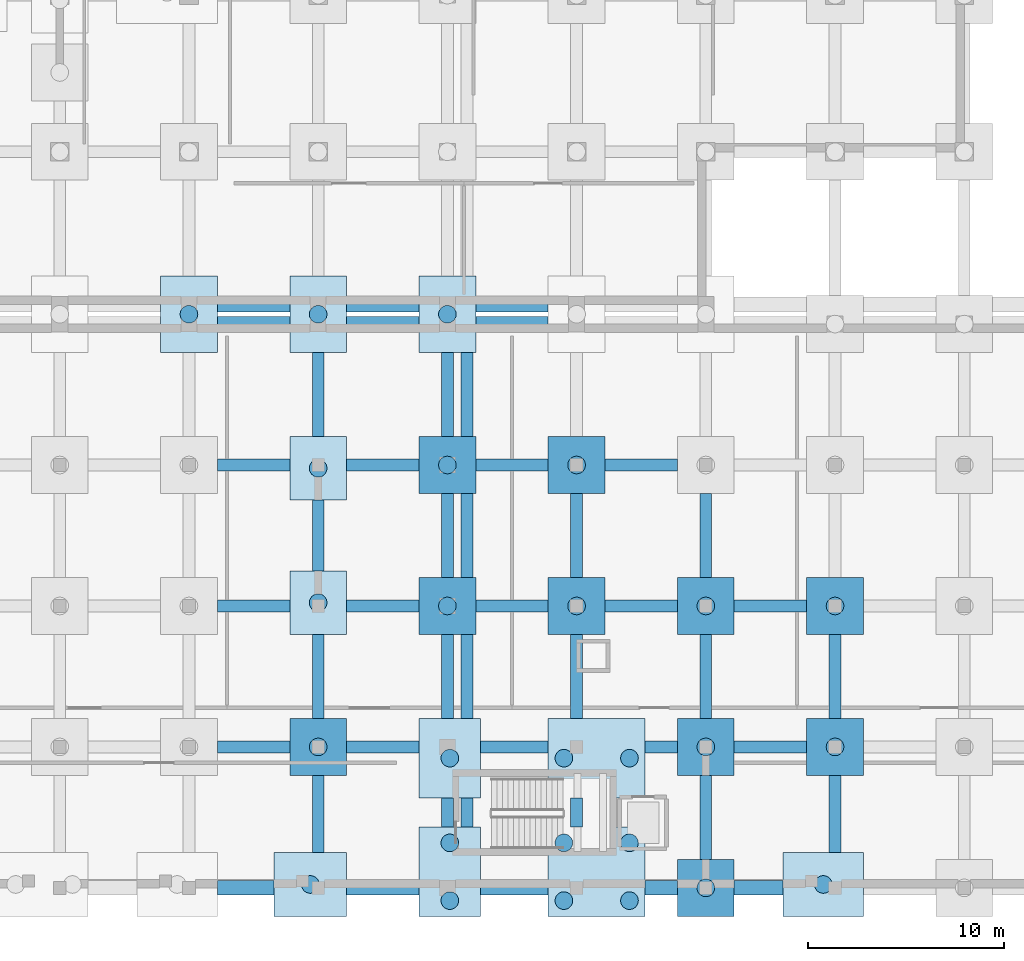
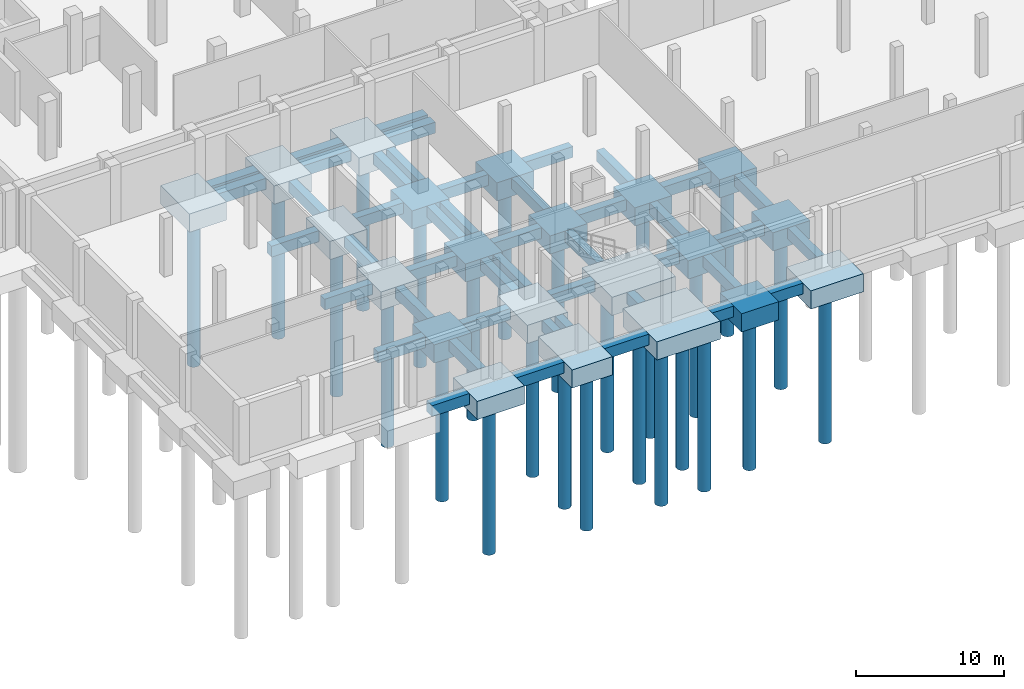
# One storey, part 4 of 29: 66 footings, 26 piles.
"""IFC4 building model written with IfcOpenShell, lengths in metres."""

from ifc_helpers import new_model, si_unit, direction, frame, origin, origin_2d, place, context, subcontext, project, spatial, polyline, rectangle, circle, outline, extrude, material, material_profile, profile_set, type_object, element, save


model = new_model("IFC4")

# Units and contexts
model_context = context("Model", 3, precision=1e-05, world=origin(), true_north=direction((0.0, 1.0)))
body_context = subcontext(model_context, "Body", "Model", "MODEL_VIEW")
ifc_project = project(units=[si_unit("LENGTHUNIT", "METRE"), si_unit("AREAUNIT", "SQUARE_METRE"), si_unit("VOLUMEUNIT", "CUBIC_METRE"), si_unit("PLANEANGLEUNIT", "RADIAN"), si_unit("MASSUNIT", "GRAM", prefix="KILO")], contexts=[model_context])

# Site, building, storey
site_placement = place(None, origin())
site = spatial("IfcSite", under=ifc_project, at=site_placement, CompositionType="ELEMENT")
building_placement = place(site_placement, origin())
building = spatial("IfcBuilding", under=site, at=building_placement, Name="Kelarvand Opera House", CompositionType="ELEMENT")
storey_placement = place(building_placement, frame((0.0, 0.0, -9.60009765625)))
storey = spatial("IfcBuildingStorey", under=building, at=storey_placement, Name="B2", CompositionType="ELEMENT", Elevation=-9.60009765625)

# Piles
ifc_material = material(Name="Concrete C40/50", Category="concrete")
ifc_material_profile = material_profile(ifc_material, circle(Radius=0.449951171875, at=origin_2d()), Name="BP 900", Category="concrete")
ifc_profile_set = profile_set([ifc_material_profile], Name="Concrete C40/50")
pile_type = type_object("IfcPileType", Name="Bored Pile 900 Concrete C40/50", PredefinedType="BORED", material=ifc_profile_set)
for number, where, z_axis, x_axis, name in (
    (1, (108.39990234375, 9.175048828125, -1.7998046875), (0.0, 0.0, -1.0), (1.0, 0.0, 0.0), "V6 Bored Pile 11"),
    (2, (115.52490234375, 8.35009765625, -1.7998046875), (0.0, 0.0, -1.0), (1.0, 0.0, 0.0), "V6 Bored Pile 12"),
    (3, (115.52490234375, 11.300048828125, -1.7998046875), (0.0, 0.0, -1.0), (1.0, 0.0, 0.0), "V6 Bored Pile 13"),
    (4, (121.35009765625, 8.35009765625, -1.7998046875), (0.0, 0.0, -1.0), (1.0, 0.0, 0.0), "V6 Bored Pile 14"),
    (5, (121.35009765625, 11.300048828125, -1.7998046875), (0.0, 0.0, -1.0), (1.0, 0.0, 0.0), "V6 Bored Pile 15"),
    (6, (124.699951171875, 8.35009765625, -1.7998046875), (0.0, 0.0, -1.0), (1.0, 0.0, 0.0), "V6 Bored Pile 16"),
    (7, (124.699951171875, 11.300048828125, -1.7998046875), (0.0, 0.0, -1.0), (1.0, 0.0, 0.0), "V6 Bored Pile 17"),
    (8, (128.60009765625, 9.0, -1.7998046875), (0.0, 0.0, -1.0), (1.0, 0.0, 0.0), "V6 Bored Pile 18"),
    (9, (134.60009765625, 9.175048828125, -1.7998046875), (0.0, 0.0, -1.0), (1.0, 0.0, 0.0), "V6 Bored Pile 19"),
    (10, (115.52490234375, 15.625, -1.7998046875), (0.0, 0.0, -1.0), (1.0, 0.0, 0.0), "V6 Bored Pile 30"),
    (11, (121.35009765625, 15.625, -1.7998046875), (0.0, 0.0, -1.0), (1.0, 0.0, 0.0), "V6 Bored Pile 31"),
    (12, (124.699951171875, 15.625, -1.7998046875), (0.0, 0.0, -1.0), (1.0, 0.0, 0.0), "V6 Bored Pile 32"),
    (13, (108.800048828125, 16.199951171875, -1.7998046875), (0.0, 0.0, -1.0), (1.0, 0.0, 0.0), "V6 Bored Pile 42"),
    (14, (128.60009765625, 16.199951171875, -1.7998046875), (0.0, 0.0, -1.0), (1.0, 0.0, 0.0), "V6 Bored Pile 43"),
    (15, (135.199951171875, 16.199951171875, -1.7998046875), (0.0, 0.0, -1.0), (1.0, 0.0, 0.0), "V6 Bored Pile 44"),
    (16, (108.800048828125, 23.56494140625, -1.7998046875), (0.0, 0.0, -1.0), (1.0, 0.0, 0.0), "V6 Bored Pile 60"),
    (17, (115.39990234375, 23.39990234375, -1.7998046875), (0.0, 0.0, -1.0), (1.0, 0.0, 0.0), "V6 Bored Pile 61"),
    (18, (122.0, 23.39990234375, -1.7998046875), (0.0, 0.0, -1.0), (1.0, 0.0, 0.0), "V6 Bored Pile 62"),
    (19, (128.60009765625, 23.39990234375, -1.7998046875), (0.0, 0.0, -1.0), (1.0, 0.0, 0.0), "V6 Bored Pile 63"),
    (20, (135.199951171875, 23.39990234375, -1.7998046875), (0.0, 0.0, -1.0), (1.0, 0.0, 0.0), "V6 Bored Pile 64"),
    (21, (108.800048828125, 30.43505859375, -1.7998046875), (0.0, 0.0, -1.0), (1.0, 0.0, 0.0), "V6 Bored Pile 72"),
    (22, (115.39990234375, 30.60009765625, -1.7998046875), (0.0, 0.0, -1.0), (1.0, 0.0, 0.0), "V6 Bored Pile 81"),
    (23, (122.0, 30.60009765625, -1.7998046875), (0.0, 0.0, -1.0), (1.0, 0.0, 0.0), "V6 Bored Pile 82"),
    (24, (102.199951171875, 38.300048828125, -1.7998046875), (0.0, 0.0, -1.0), (1.0, 0.0, 0.0), "V1 Bored Pile 100"),
    (25, (108.800048828125, 38.300048828125, -1.7998046875), (0.0, 0.0, -1.0), (1.0, 0.0, 0.0), "V1 Bored Pile 101"),
    (26, (115.39990234375, 38.300048828125, -1.7998046875), (0.0, 0.0, -1.0), (1.0, 0.0, 0.0), "V1 Bored Pile 102"),
):
    element("IfcPile", number, at=place(storey_placement, frame(where, z_axis=z_axis, x_axis=x_axis)), inside=storey, type_object=pile_type, Name=name, PredefinedType="BORED", context=body_context, shape_type="SweptSolid", body=[
        extrude(circle(Radius=0.449951171875, at=origin_2d()), origin(), (0.0, 0.0, 1.0), 12.60009765625),
    ])

# Footings
footing_type_1 = type_object("IfcFootingType", Name="Ground Tie Beam 600x900 Concrete C40/50", PredefinedType="FOOTING_BEAM", material=ifc_material)
footing_1_placement = place(storey_placement, frame((0.0, 0.0, -1.2998046875)))
element("IfcFooting", 27, at=footing_1_placement, inside=storey, type_object=footing_type_1, Name="Ground Beam 25", PredefinedType="FOOTING_BEAM", context=body_context, shape_type="SweptSolid", body=[
    extrude(outline(polyline([(103.64990234375, 15.89990234375), (107.35009765625, 15.89990234375), (107.35009765625, 16.5), (103.64990234375, 16.5), (103.64990234375, 15.89990234375)])), origin(), (0.0, 0.0, 1.0), 0.89990234375),
])
footing_2_placement = place(storey_placement, frame((0.0, 0.0, -1.2998046875)))
element("IfcFooting", 28, at=footing_2_placement, inside=storey, type_object=footing_type_1, Name="Ground Beam 26", PredefinedType="FOOTING_BEAM", context=body_context, shape_type="SweptSolid", body=[
    extrude(outline(polyline([(110.25, 15.89990234375), (113.949951171875, 15.89990234375), (113.949951171875, 16.5), (110.25, 16.5), (110.25, 15.89990234375)])), origin(), (0.0, 0.0, 1.0), 0.89990234375),
])
footing_3_placement = place(storey_placement, frame((0.0, 0.0, -1.2998046875)))
element("IfcFooting", 29, at=footing_3_placement, inside=storey, type_object=footing_type_1, Name="Ground Beam 27", PredefinedType="FOOTING_BEAM", context=body_context, shape_type="SweptSolid", body=[
    extrude(outline(polyline([(117.10009765625, 15.89990234375), (120.550048828125, 15.89990234375), (120.550048828125, 16.5), (117.10009765625, 16.5), (117.10009765625, 15.89990234375)])), origin(), (0.0, 0.0, 1.0), 0.89990234375),
])
footing_4_placement = place(storey_placement, frame((0.0, 0.0, -1.2998046875)))
element("IfcFooting", 30, at=footing_4_placement, inside=storey, type_object=footing_type_1, Name="Ground Beam 28", PredefinedType="FOOTING_BEAM", context=body_context, shape_type="SweptSolid", body=[
    extrude(outline(polyline([(125.5, 15.89990234375), (127.14990234375, 15.89990234375), (127.14990234375, 16.5), (125.5, 16.5), (125.5, 15.89990234375)])), origin(), (0.0, 0.0, 1.0), 0.89990234375),
])
footing_5_placement = place(storey_placement, frame((0.0, 0.0, -1.2998046875)))
element("IfcFooting", 31, at=footing_5_placement, inside=storey, type_object=footing_type_1, Name="Ground Beam 29", PredefinedType="FOOTING_BEAM", context=body_context, shape_type="SweptSolid", body=[
    extrude(outline(polyline([(130.050048828125, 15.89990234375), (133.75, 15.89990234375), (133.75, 16.5), (130.050048828125, 16.5), (130.050048828125, 15.89990234375)])), origin(), (0.0, 0.0, 1.0), 0.89990234375),
])
footing_6_placement = place(storey_placement, frame((0.0, 0.0, -1.2998046875)))
element("IfcFooting", 32, at=footing_6_placement, inside=storey, type_object=footing_type_1, Name="Ground Beam 42", PredefinedType="FOOTING_BEAM", context=body_context, shape_type="SweptSolid", body=[
    extrude(outline(polyline([(103.64990234375, 23.10009765625), (107.35009765625, 23.10009765625), (107.35009765625, 23.699951171875), (103.64990234375, 23.699951171875), (103.64990234375, 23.10009765625)])), origin(), (0.0, 0.0, 1.0), 0.89990234375),
])
footing_7_placement = place(storey_placement, frame((0.0, 0.0, -1.2998046875)))
element("IfcFooting", 33, at=footing_7_placement, inside=storey, type_object=footing_type_1, Name="Ground Beam 43", PredefinedType="FOOTING_BEAM", context=body_context, shape_type="SweptSolid", body=[
    extrude(outline(polyline([(110.25, 23.10009765625), (113.949951171875, 23.10009765625), (113.949951171875, 23.699951171875), (110.25, 23.699951171875), (110.25, 23.10009765625)])), origin(), (0.0, 0.0, 1.0), 0.89990234375),
])
footing_8_placement = place(storey_placement, frame((0.0, 0.0, -1.2998046875)))
element("IfcFooting", 34, at=footing_8_placement, inside=storey, type_object=footing_type_1, Name="Ground Beam 44", PredefinedType="FOOTING_BEAM", context=body_context, shape_type="SweptSolid", body=[
    extrude(outline(polyline([(116.85009765625, 23.10009765625), (120.550048828125, 23.10009765625), (120.550048828125, 23.699951171875), (116.85009765625, 23.699951171875), (116.85009765625, 23.10009765625)])), origin(), (0.0, 0.0, 1.0), 0.89990234375),
])
footing_9_placement = place(storey_placement, frame((0.0, 0.0, -1.2998046875)))
element("IfcFooting", 35, at=footing_9_placement, inside=storey, type_object=footing_type_1, Name="Ground Beam 45", PredefinedType="FOOTING_BEAM", context=body_context, shape_type="SweptSolid", body=[
    extrude(outline(polyline([(123.449951171875, 23.10009765625), (127.14990234375, 23.10009765625), (127.14990234375, 23.699951171875), (123.449951171875, 23.699951171875), (123.449951171875, 23.10009765625)])), origin(), (0.0, 0.0, 1.0), 0.89990234375),
])
footing_10_placement = place(storey_placement, frame((0.0, 0.0, -1.2998046875)))
element("IfcFooting", 36, at=footing_10_placement, inside=storey, type_object=footing_type_1, Name="Ground Beam 46", PredefinedType="FOOTING_BEAM", context=body_context, shape_type="SweptSolid", body=[
    extrude(outline(polyline([(130.050048828125, 23.10009765625), (133.75, 23.10009765625), (133.75, 23.699951171875), (130.050048828125, 23.699951171875), (130.050048828125, 23.10009765625)])), origin(), (0.0, 0.0, 1.0), 0.89990234375),
])
footing_11_placement = place(storey_placement, frame((0.0, 0.0, -1.2998046875)))
element("IfcFooting", 37, at=footing_11_placement, inside=storey, type_object=footing_type_1, Name="Ground Beam 59", PredefinedType="FOOTING_BEAM", context=body_context, shape_type="SweptSolid", body=[
    extrude(outline(polyline([(103.64990234375, 30.300048828125), (107.35009765625, 30.300048828125), (107.35009765625, 30.89990234375), (103.64990234375, 30.89990234375), (103.64990234375, 30.300048828125)])), origin(), (0.0, 0.0, 1.0), 0.89990234375),
])
footing_12_placement = place(storey_placement, frame((0.0, 0.0, -1.2998046875)))
element("IfcFooting", 38, at=footing_12_placement, inside=storey, type_object=footing_type_1, Name="Ground Beam 60", PredefinedType="FOOTING_BEAM", context=body_context, shape_type="SweptSolid", body=[
    extrude(outline(polyline([(110.25, 30.300048828125), (113.949951171875, 30.300048828125), (113.949951171875, 30.89990234375), (110.25, 30.89990234375), (110.25, 30.300048828125)])), origin(), (0.0, 0.0, 1.0), 0.89990234375),
])
footing_13_placement = place(storey_placement, frame((0.0, 0.0, -1.2998046875)))
element("IfcFooting", 39, at=footing_13_placement, inside=storey, type_object=footing_type_1, Name="Ground Beam 61", PredefinedType="FOOTING_BEAM", context=body_context, shape_type="SweptSolid", body=[
    extrude(outline(polyline([(116.85009765625, 30.300048828125), (120.550048828125, 30.300048828125), (120.550048828125, 30.89990234375), (116.85009765625, 30.89990234375), (116.85009765625, 30.300048828125)])), origin(), (0.0, 0.0, 1.0), 0.89990234375),
])
footing_14_placement = place(storey_placement, frame((0.0, 0.0, -1.2998046875)))
element("IfcFooting", 40, at=footing_14_placement, inside=storey, type_object=footing_type_1, Name="Ground Beam 62", PredefinedType="FOOTING_BEAM", context=body_context, shape_type="SweptSolid", body=[
    extrude(outline(polyline([(123.449951171875, 30.300048828125), (127.14990234375, 30.300048828125), (127.14990234375, 30.89990234375), (123.449951171875, 30.89990234375), (123.449951171875, 30.300048828125)])), origin(), (0.0, 0.0, 1.0), 0.89990234375),
])
footing_15_placement = place(storey_placement, frame((0.0, 0.0, -1.2998046875)))
element("IfcFooting", 41, at=footing_15_placement, inside=storey, type_object=footing_type_1, Name="Ground Beam 417", PredefinedType="FOOTING_BEAM", context=body_context, shape_type="SweptSolid", body=[
    extrude(outline(polyline([(108.5, 10.800048828125), (109.10009765625, 10.800048828125), (109.10009765625, 14.75), (108.5, 14.75), (108.5, 10.800048828125)])), origin(), (0.0, 0.0, 1.0), 0.89990234375),
])
footing_16_placement = place(storey_placement, frame((0.0, 0.0, -1.2998046875)))
element("IfcFooting", 42, at=footing_16_placement, inside=storey, type_object=footing_type_1, Name="Ground Beam 418", PredefinedType="FOOTING_BEAM", context=body_context, shape_type="SweptSolid", body=[
    extrude(outline(polyline([(108.5, 17.64990234375), (109.10009765625, 17.64990234375), (109.10009765625, 21.949951171875), (108.5, 21.949951171875), (108.5, 17.64990234375)])), origin(), (0.0, 0.0, 1.0), 0.89990234375),
])
footing_17_placement = place(storey_placement, frame((0.0, 0.0, -1.2998046875)))
element("IfcFooting", 43, at=footing_17_placement, inside=storey, type_object=footing_type_1, Name="Ground Beam 419", PredefinedType="FOOTING_BEAM", context=body_context, shape_type="SweptSolid", body=[
    extrude(outline(polyline([(108.5, 25.179931640625), (109.10009765625, 25.179931640625), (109.10009765625, 28.820068359375), (108.5, 28.820068359375), (108.5, 25.179931640625)])), origin(), (0.0, 0.0, 1.0), 0.89990234375),
])
footing_18_placement = place(storey_placement, frame((0.0, 0.0, -1.2998046875)))
element("IfcFooting", 44, at=footing_18_placement, inside=storey, type_object=footing_type_1, Name="Ground Beam 420", PredefinedType="FOOTING_BEAM", context=body_context, shape_type="SweptSolid", body=[
    extrude(outline(polyline([(108.5, 32.050048828125), (109.10009765625, 32.050048828125), (109.10009765625, 36.35009765625), (108.5, 36.35009765625), (108.5, 32.050048828125)])), origin(), (0.0, 0.0, 1.0), 0.89990234375),
])
footing_19_placement = place(storey_placement, frame((0.0, 0.0, -1.2998046875)))
element("IfcFooting", 45, at=footing_19_placement, inside=storey, type_object=footing_type_1, Name="Ground Beam 431", PredefinedType="FOOTING_BEAM", context=body_context, shape_type="SweptSolid", body=[
    extrude(outline(polyline([(115.10009765625, 12.10009765625), (115.699951171875, 12.10009765625), (115.699951171875, 13.60009765625), (115.10009765625, 13.60009765625), (115.10009765625, 12.10009765625)])), origin(), (0.0, 0.0, 1.0), 0.89990234375),
])
footing_20_placement = place(storey_placement, frame((0.0, 0.0, -1.2998046875)))
element("IfcFooting", 46, at=footing_20_placement, inside=storey, type_object=footing_type_1, Name="Ground Beam 432", PredefinedType="FOOTING_BEAM", context=body_context, shape_type="SweptSolid", body=[
    extrude(outline(polyline([(115.10009765625, 17.64990234375), (115.699951171875, 17.64990234375), (115.699951171875, 21.949951171875), (115.10009765625, 21.949951171875), (115.10009765625, 17.64990234375)])), origin(), (0.0, 0.0, 1.0), 0.89990234375),
])
footing_21_placement = place(storey_placement, frame((0.0, 0.0, -1.2998046875)))
element("IfcFooting", 47, at=footing_21_placement, inside=storey, type_object=footing_type_1, Name="Ground Beam 433", PredefinedType="FOOTING_BEAM", context=body_context, shape_type="SweptSolid", body=[
    extrude(outline(polyline([(115.10009765625, 24.85009765625), (115.699951171875, 24.85009765625), (115.699951171875, 29.14990234375), (115.10009765625, 29.14990234375), (115.10009765625, 24.85009765625)])), origin(), (0.0, 0.0, 1.0), 0.89990234375),
])
footing_22_placement = place(storey_placement, frame((0.0, 0.0, -1.2998046875)))
element("IfcFooting", 48, at=footing_22_placement, inside=storey, type_object=footing_type_1, Name="Ground Beam 434", PredefinedType="FOOTING_BEAM", context=body_context, shape_type="SweptSolid", body=[
    extrude(outline(polyline([(115.10009765625, 32.050048828125), (115.699951171875, 32.050048828125), (115.699951171875, 36.35009765625), (115.10009765625, 36.35009765625), (115.10009765625, 32.050048828125)])), origin(), (0.0, 0.0, 1.0), 0.89990234375),
])
footing_23_placement = place(storey_placement, frame((0.0, 0.0, -1.2998046875)))
element("IfcFooting", 49, at=footing_23_placement, inside=storey, type_object=footing_type_1, Name="Ground Beam 445", PredefinedType="FOOTING_BEAM", context=body_context, shape_type="SweptSolid", body=[
    extrude(outline(polyline([(116.10009765625, 12.10009765625), (116.699951171875, 12.10009765625), (116.699951171875, 13.60009765625), (116.10009765625, 13.60009765625), (116.10009765625, 12.10009765625)])), origin(), (0.0, 0.0, 1.0), 0.89990234375),
])
footing_24_placement = place(storey_placement, frame((0.0, 0.0, -1.2998046875)))
element("IfcFooting", 50, at=footing_24_placement, inside=storey, type_object=footing_type_1, Name="Ground Beam 446", PredefinedType="FOOTING_BEAM", context=body_context, shape_type="SweptSolid", body=[
    extrude(outline(polyline([(116.10009765625, 17.64990234375), (116.699951171875, 17.64990234375), (116.699951171875, 21.949951171875), (116.10009765625, 21.949951171875), (116.10009765625, 17.64990234375)])), origin(), (0.0, 0.0, 1.0), 0.89990234375),
])
footing_25_placement = place(storey_placement, frame((0.0, 0.0, -1.2998046875)))
element("IfcFooting", 51, at=footing_25_placement, inside=storey, type_object=footing_type_1, Name="Ground Beam 447", PredefinedType="FOOTING_BEAM", context=body_context, shape_type="SweptSolid", body=[
    extrude(outline(polyline([(116.10009765625, 24.85009765625), (116.699951171875, 24.85009765625), (116.699951171875, 29.14990234375), (116.10009765625, 29.14990234375), (116.10009765625, 24.85009765625)])), origin(), (0.0, 0.0, 1.0), 0.89990234375),
])
footing_26_placement = place(storey_placement, frame((0.0, 0.0, -1.2998046875)))
element("IfcFooting", 52, at=footing_26_placement, inside=storey, type_object=footing_type_1, Name="Ground Beam 448", PredefinedType="FOOTING_BEAM", context=body_context, shape_type="SweptSolid", body=[
    extrude(outline(polyline([(116.10009765625, 32.050048828125), (116.699951171875, 32.050048828125), (116.699951171875, 36.35009765625), (116.10009765625, 36.35009765625), (116.10009765625, 32.050048828125)])), origin(), (0.0, 0.0, 1.0), 0.89990234375),
])
footing_27_placement = place(storey_placement, frame((0.0, 0.0, -1.2998046875)))
element("IfcFooting", 53, at=footing_27_placement, inside=storey, type_object=footing_type_1, Name="Ground Beam 459", PredefinedType="FOOTING_BEAM", context=body_context, shape_type="SweptSolid", body=[
    extrude(outline(polyline([(121.699951171875, 12.10009765625), (122.300048828125, 12.10009765625), (122.300048828125, 13.60009765625), (121.699951171875, 13.60009765625), (121.699951171875, 12.10009765625)])), origin(), (0.0, 0.0, 1.0), 0.89990234375),
])
footing_28_placement = place(storey_placement, frame((0.0, 0.0, -1.2998046875)))
element("IfcFooting", 54, at=footing_28_placement, inside=storey, type_object=footing_type_1, Name="Ground Beam 460", PredefinedType="FOOTING_BEAM", context=body_context, shape_type="SweptSolid", body=[
    extrude(outline(polyline([(121.699951171875, 17.64990234375), (122.300048828125, 17.64990234375), (122.300048828125, 21.949951171875), (121.699951171875, 21.949951171875), (121.699951171875, 17.64990234375)])), origin(), (0.0, 0.0, 1.0), 0.89990234375),
])
footing_29_placement = place(storey_placement, frame((0.0, 0.0, -1.2998046875)))
element("IfcFooting", 55, at=footing_29_placement, inside=storey, type_object=footing_type_1, Name="Ground Beam 461", PredefinedType="FOOTING_BEAM", context=body_context, shape_type="SweptSolid", body=[
    extrude(outline(polyline([(121.699951171875, 24.85009765625), (122.300048828125, 24.85009765625), (122.300048828125, 29.14990234375), (121.699951171875, 29.14990234375), (121.699951171875, 24.85009765625)])), origin(), (0.0, 0.0, 1.0), 0.89990234375),
])
footing_30_placement = place(storey_placement, frame((0.0, 0.0, -1.2998046875)))
element("IfcFooting", 56, at=footing_30_placement, inside=storey, type_object=footing_type_1, Name="Ground Beam 473", PredefinedType="FOOTING_BEAM", context=body_context, shape_type="SweptSolid", body=[
    extrude(outline(polyline([(128.300048828125, 10.449951171875), (128.89990234375, 10.449951171875), (128.89990234375, 14.75), (128.300048828125, 14.75), (128.300048828125, 10.449951171875)])), origin(), (0.0, 0.0, 1.0), 0.89990234375),
])
footing_31_placement = place(storey_placement, frame((0.0, 0.0, -1.2998046875)))
element("IfcFooting", 57, at=footing_31_placement, inside=storey, type_object=footing_type_1, Name="Ground Beam 474", PredefinedType="FOOTING_BEAM", context=body_context, shape_type="SweptSolid", body=[
    extrude(outline(polyline([(128.300048828125, 17.64990234375), (128.89990234375, 17.64990234375), (128.89990234375, 21.949951171875), (128.300048828125, 21.949951171875), (128.300048828125, 17.64990234375)])), origin(), (0.0, 0.0, 1.0), 0.89990234375),
])
footing_32_placement = place(storey_placement, frame((0.0, 0.0, -1.2998046875)))
element("IfcFooting", 58, at=footing_32_placement, inside=storey, type_object=footing_type_1, Name="Ground Beam 475", PredefinedType="FOOTING_BEAM", context=body_context, shape_type="SweptSolid", body=[
    extrude(outline(polyline([(128.300048828125, 24.85009765625), (128.89990234375, 24.85009765625), (128.89990234375, 29.14990234375), (128.300048828125, 29.14990234375), (128.300048828125, 24.85009765625)])), origin(), (0.0, 0.0, 1.0), 0.89990234375),
])
footing_33_placement = place(storey_placement, frame((0.0, 0.0, -1.2998046875)))
element("IfcFooting", 59, at=footing_33_placement, inside=storey, type_object=footing_type_1, Name="Ground Beam 487", PredefinedType="FOOTING_BEAM", context=body_context, shape_type="SweptSolid", body=[
    extrude(outline(polyline([(134.89990234375, 10.800048828125), (135.5, 10.800048828125), (135.5, 14.75), (134.89990234375, 14.75), (134.89990234375, 10.800048828125)])), origin(), (0.0, 0.0, 1.0), 0.89990234375),
])
footing_34_placement = place(storey_placement, frame((0.0, 0.0, -1.2998046875)))
element("IfcFooting", 60, at=footing_34_placement, inside=storey, type_object=footing_type_1, Name="Ground Beam 488", PredefinedType="FOOTING_BEAM", context=body_context, shape_type="SweptSolid", body=[
    extrude(outline(polyline([(134.89990234375, 17.64990234375), (135.5, 17.64990234375), (135.5, 21.949951171875), (134.89990234375, 21.949951171875), (134.89990234375, 17.64990234375)])), origin(), (0.0, 0.0, 1.0), 0.89990234375),
])
footing_type_2 = type_object("IfcFootingType", Name="Perimeter Strip Footing 750x900 Concrete C40/50", PredefinedType="STRIP_FOOTING", material=ifc_material)
footing_35_placement = place(storey_placement, frame((0.0, 0.0, -1.2998046875)))
element("IfcFooting", 61, at=footing_35_placement, inside=storey, type_object=footing_type_2, Name="Ground Beam 8", PredefinedType="STRIP_FOOTING", context=body_context, shape_type="SweptSolid", body=[
    extrude(outline(polyline([(103.64990234375, 8.625), (106.550048828125, 8.625), (106.550048828125, 9.375), (103.64990234375, 9.375), (103.64990234375, 8.625)])), origin(), (0.0, 0.0, 1.0), 0.89990234375),
])
footing_36_placement = place(storey_placement, frame((0.0, 0.0, -1.2998046875)))
element("IfcFooting", 62, at=footing_36_placement, inside=storey, type_object=footing_type_2, Name="Ground Beam 9", PredefinedType="STRIP_FOOTING", context=body_context, shape_type="SweptSolid", body=[
    extrude(outline(polyline([(110.25, 8.625), (113.949951171875, 8.625), (113.949951171875, 9.375), (110.25, 9.375), (110.25, 8.625)])), origin(), (0.0, 0.0, 1.0), 0.89990234375),
])
footing_37_placement = place(storey_placement, frame((0.0, 0.0, -1.2998046875)))
element("IfcFooting", 63, at=footing_37_placement, inside=storey, type_object=footing_type_2, Name="Ground Beam 10", PredefinedType="STRIP_FOOTING", context=body_context, shape_type="SweptSolid", body=[
    extrude(outline(polyline([(117.10009765625, 8.625), (120.550048828125, 8.625), (120.550048828125, 9.375), (117.10009765625, 9.375), (117.10009765625, 8.625)])), origin(), (0.0, 0.0, 1.0), 0.89990234375),
])
footing_38_placement = place(storey_placement, frame((0.0, 0.0, -1.2998046875)))
element("IfcFooting", 64, at=footing_38_placement, inside=storey, type_object=footing_type_2, Name="Ground Beam 11", PredefinedType="STRIP_FOOTING", context=body_context, shape_type="SweptSolid", body=[
    extrude(outline(polyline([(125.5, 8.625), (127.14990234375, 8.625), (127.14990234375, 9.375), (125.5, 9.375), (125.5, 8.625)])), origin(), (0.0, 0.0, 1.0), 0.89990234375),
])
footing_39_placement = place(storey_placement, frame((0.0, 0.0, -1.2998046875)))
element("IfcFooting", 65, at=footing_39_placement, inside=storey, type_object=footing_type_2, Name="Ground Beam 12", PredefinedType="STRIP_FOOTING", context=body_context, shape_type="SweptSolid", body=[
    extrude(outline(polyline([(130.050048828125, 8.625), (132.550048828125, 8.625), (132.550048828125, 9.375), (130.050048828125, 9.375), (130.050048828125, 8.625)])), origin(), (0.0, 0.0, 1.0), 0.89990234375),
])
footing_40_placement = place(storey_placement, frame((0.0, 0.0, -1.2998046875)))
element("IfcFooting", 66, at=footing_40_placement, inside=storey, type_object=footing_type_2, Name="Ground Beam 81", PredefinedType="STRIP_FOOTING", context=body_context, shape_type="SweptSolid", body=[
    extrude(outline(polyline([(103.64990234375, 37.425048828125), (107.35009765625, 37.425048828125), (107.35009765625, 38.175048828125), (103.64990234375, 38.175048828125), (103.64990234375, 37.425048828125)])), origin(), (0.0, 0.0, 1.0), 0.89990234375),
])
footing_41_placement = place(storey_placement, frame((0.0, 0.0, -1.2998046875)))
element("IfcFooting", 67, at=footing_41_placement, inside=storey, type_object=footing_type_2, Name="Ground Beam 82", PredefinedType="STRIP_FOOTING", context=body_context, shape_type="SweptSolid", body=[
    extrude(outline(polyline([(110.25, 37.425048828125), (113.949951171875, 37.425048828125), (113.949951171875, 38.175048828125), (110.25, 38.175048828125), (110.25, 37.425048828125)])), origin(), (0.0, 0.0, 1.0), 0.89990234375),
])
footing_42_placement = place(storey_placement, frame((0.0, 0.0, -1.2998046875)))
element("IfcFooting", 68, at=footing_42_placement, inside=storey, type_object=footing_type_2, Name="Ground Beam 83", PredefinedType="STRIP_FOOTING", context=body_context, shape_type="SweptSolid", body=[
    extrude(outline(polyline([(116.85009765625, 37.425048828125), (120.550048828125, 37.425048828125), (120.550048828125, 38.175048828125), (116.85009765625, 38.175048828125), (116.85009765625, 37.425048828125)])), origin(), (0.0, 0.0, 1.0), 0.89990234375),
])
footing_43_placement = place(storey_placement, frame((0.0, 0.0, -1.2998046875)))
element("IfcFooting", 69, at=footing_43_placement, inside=storey, type_object=footing_type_2, Name="Ground Beam 103", PredefinedType="STRIP_FOOTING", context=body_context, shape_type="SweptSolid", body=[
    extrude(outline(polyline([(103.64990234375, 38.425048828125), (107.35009765625, 38.425048828125), (107.35009765625, 39.175048828125), (103.64990234375, 39.175048828125), (103.64990234375, 38.425048828125)])), origin(), (0.0, 0.0, 1.0), 0.89990234375),
])
footing_44_placement = place(storey_placement, frame((0.0, 0.0, -1.2998046875)))
element("IfcFooting", 70, at=footing_44_placement, inside=storey, type_object=footing_type_2, Name="Ground Beam 104", PredefinedType="STRIP_FOOTING", context=body_context, shape_type="SweptSolid", body=[
    extrude(outline(polyline([(110.25, 38.425048828125), (113.949951171875, 38.425048828125), (113.949951171875, 39.175048828125), (110.25, 39.175048828125), (110.25, 38.425048828125)])), origin(), (0.0, 0.0, 1.0), 0.89990234375),
])
footing_45_placement = place(storey_placement, frame((0.0, 0.0, -1.2998046875)))
element("IfcFooting", 71, at=footing_45_placement, inside=storey, type_object=footing_type_2, Name="Ground Beam 105", PredefinedType="STRIP_FOOTING", context=body_context, shape_type="SweptSolid", body=[
    extrude(outline(polyline([(116.85009765625, 38.425048828125), (120.550048828125, 38.425048828125), (120.550048828125, 39.175048828125), (116.85009765625, 39.175048828125), (116.85009765625, 38.425048828125)])), origin(), (0.0, 0.0, 1.0), 0.89990234375),
])
footing_type_3 = type_object("IfcFootingType", Name="Pile Cap 2900x2900x1500 PC-01", PredefinedType="PILE_CAP", material=ifc_material)
for number, where, z_axis, x_axis, name in (
    (72, (128.60009765625, 9.0, -1.89990234375), (0.0, 0.0, 1.0), (1.0, 0.0, 0.0), "V6 Pile Cap PC-01 (13)"),
    (73, (108.800048828125, 16.199951171875, -1.89990234375), (0.0, 0.0, 1.0), (1.0, 0.0, 0.0), "V6 Pile Cap PC-01 (36)"),
    (74, (128.60009765625, 16.199951171875, -1.89990234375), (0.0, 0.0, 1.0), (1.0, 0.0, 0.0), "V6 Pile Cap PC-01 (37)"),
    (75, (135.199951171875, 16.199951171875, -1.89990234375), (0.0, 0.0, 1.0), (1.0, 0.0, 0.0), "V6 Pile Cap PC-01 (38)"),
    (76, (115.39990234375, 23.39990234375, -1.89990234375), (0.0, 0.0, 1.0), (1.0, 0.0, 0.0), "V6 Pile Cap PC-01 (55)"),
    (77, (122.0, 23.39990234375, -1.89990234375), (0.0, 0.0, 1.0), (1.0, 0.0, 0.0), "V6 Pile Cap PC-01 (56)"),
    (78, (128.60009765625, 23.39990234375, -1.89990234375), (0.0, 0.0, 1.0), (1.0, 0.0, 0.0), "V6 Pile Cap PC-01 (57)"),
    (79, (135.199951171875, 23.39990234375, -1.89990234375), (0.0, 0.0, 1.0), (1.0, 0.0, 0.0), "V6 Pile Cap PC-01 (58)"),
    (80, (115.39990234375, 30.60009765625, -1.89990234375), (0.0, 0.0, 1.0), (1.0, 0.0, 0.0), "V6 Pile Cap PC-01 (75)"),
    (81, (122.0, 30.60009765625, -1.89990234375), (0.0, 0.0, 1.0), (1.0, 0.0, 0.0), "V6 Pile Cap PC-01 (76)"),
):
    element("IfcFooting", number, at=place(storey_placement, frame(where, z_axis=z_axis, x_axis=x_axis)), inside=storey, type_object=footing_type_3, Name=name, PredefinedType="PILE_CAP", context=body_context, shape_type="SweptSolid", body=[
        extrude(rectangle(XDim=2.89990234375, YDim=2.89990234375, at=origin_2d()), origin(), (0.0, 0.0, 1.0), 1.5),
    ])
footing_type_4 = type_object("IfcFootingType", Name="Pile Cap 2900x3230x1500 PC-09", PredefinedType="PILE_CAP", material=ifc_material)
for number, where, z_axis, x_axis, name in (
    (82, (108.800048828125, 23.56494140625, -1.89990234375), (0.0, 0.0, 1.0), (1.0, 0.0, 0.0), "V6 Pile Cap PC-09 (54)"),
    (83, (108.800048828125, 30.43505859375, -1.89990234375), (0.0, 0.0, 1.0), (1.0, 0.0, 0.0), "V6 Pile Cap PC-09 (66)"),
):
    element("IfcFooting", number, at=place(storey_placement, frame(where, z_axis=z_axis, x_axis=x_axis)), inside=storey, type_object=footing_type_4, Name=name, PredefinedType="PILE_CAP", context=body_context, shape_type="SweptSolid", body=[
        extrude(rectangle(XDim=2.89990234375, YDim=3.22998046875, at=origin_2d()), origin(), (0.0, 0.0, 1.0), 1.5),
    ])
footing_type_5 = type_object("IfcFootingType", Name="Pile Cap 2900x3900x1500 PC-10", PredefinedType="PILE_CAP", material=ifc_material)
for number, where, z_axis, x_axis, name in (
    (84, (102.199951171875, 38.300048828125, -1.89990234375), (0.0, 0.0, 1.0), (1.0, 0.0, 0.0), "V1 Pile Cap PC-10 (93)"),
    (85, (108.800048828125, 38.300048828125, -1.89990234375), (0.0, 0.0, 1.0), (1.0, 0.0, 0.0), "V1 Pile Cap PC-10 (94)"),
    (86, (115.39990234375, 38.300048828125, -1.89990234375), (0.0, 0.0, 1.0), (1.0, 0.0, 0.0), "V1 Pile Cap PC-10 (95)"),
):
    element("IfcFooting", number, at=place(storey_placement, frame(where, z_axis=z_axis, x_axis=x_axis)), inside=storey, type_object=footing_type_5, Name=name, PredefinedType="PILE_CAP", context=body_context, shape_type="SweptSolid", body=[
        extrude(rectangle(XDim=2.89990234375, YDim=3.89990234375, at=origin_2d()), origin(), (0.0, 0.0, 1.0), 1.5),
    ])
footing_type_6 = type_object("IfcFootingType", Name="Pile Cap 3150x4050x1500 PC-07", PredefinedType="PILE_CAP", material=ifc_material)
footing_46_placement = place(storey_placement, frame((115.52490234375, 15.625, -1.89990234375), z_axis=(0.0, 0.0, 1.0), x_axis=(1.0, 0.0, 0.0)))
element("IfcFooting", 87, at=footing_46_placement, inside=storey, type_object=footing_type_6, Name="V6 Pile Cap PC-07 (25)", PredefinedType="PILE_CAP", context=body_context, shape_type="SweptSolid", body=[
    extrude(rectangle(XDim=3.14990234375, YDim=4.050048828125, at=origin_2d()), origin(), (0.0, 0.0, 1.0), 1.5),
])
footing_type_7 = type_object("IfcFootingType", Name="Pile Cap 3150x4550x1500 PC-05", PredefinedType="PILE_CAP", material=ifc_material)
footing_47_placement = place(storey_placement, frame((115.52490234375, 9.824951171875, -1.89990234375), z_axis=(0.0, 0.0, 1.0), x_axis=(1.0, 0.0, 0.0)))
element("IfcFooting", 88, at=footing_47_placement, inside=storey, type_object=footing_type_7, Name="V6 Pile Cap PC-05 (11)", PredefinedType="PILE_CAP", context=body_context, shape_type="SweptSolid", body=[
    extrude(rectangle(XDim=3.14990234375, YDim=4.550048828125, at=origin_2d()), origin(), (0.0, 0.0, 1.0), 1.5),
])
footing_type_8 = type_object("IfcFootingType", Name="Pile Cap 3700x3250x1500 PC-04", PredefinedType="PILE_CAP", material=ifc_material)
footing_48_placement = place(storey_placement, frame((108.39990234375, 9.175048828125, -1.89990234375), z_axis=(0.0, 0.0, 1.0), x_axis=(1.0, 0.0, 0.0)))
element("IfcFooting", 89, at=footing_48_placement, inside=storey, type_object=footing_type_8, Name="V6 Pile Cap PC-04 (10)", PredefinedType="PILE_CAP", context=body_context, shape_type="SweptSolid", body=[
    extrude(rectangle(XDim=3.699951171875, YDim=3.25, at=origin_2d()), origin(), (0.0, 0.0, 1.0), 1.5),
])
footing_type_9 = type_object("IfcFootingType", Name="Pile Cap 4100x3250x1500 PC-03", PredefinedType="PILE_CAP", material=ifc_material)
footing_49_placement = place(storey_placement, frame((134.60009765625, 9.175048828125, -1.89990234375), z_axis=(0.0, 0.0, 1.0), x_axis=(1.0, 0.0, 0.0)))
element("IfcFooting", 90, at=footing_49_placement, inside=storey, type_object=footing_type_9, Name="V6 Pile Cap PC-03 (14)", PredefinedType="PILE_CAP", context=body_context, shape_type="SweptSolid", body=[
    extrude(rectangle(XDim=4.10009765625, YDim=3.25, at=origin_2d()), origin(), (0.0, 0.0, 1.0), 1.5),
])
footing_type_10 = type_object("IfcFootingType", Name="Pile Cap 4950x4050x1500 PC-08", PredefinedType="PILE_CAP", material=ifc_material)
footing_50_placement = place(storey_placement, frame((123.02490234375, 15.625, -1.89990234375), z_axis=(0.0, 0.0, 1.0), x_axis=(1.0, 0.0, 0.0)))
element("IfcFooting", 91, at=footing_50_placement, inside=storey, type_object=footing_type_10, Name="V6 Pile Cap PC-08 (26)", PredefinedType="PILE_CAP", context=body_context, shape_type="SweptSolid", body=[
    extrude(rectangle(XDim=4.949951171875, YDim=4.050048828125, at=origin_2d()), origin(), (0.0, 0.0, 1.0), 1.5),
])
footing_type_11 = type_object("IfcFootingType", Name="Pile Cap 4950x4550x1500 PC-06", PredefinedType="PILE_CAP", material=ifc_material)
footing_51_placement = place(storey_placement, frame((123.02490234375, 9.824951171875, -1.89990234375), z_axis=(0.0, 0.0, 1.0), x_axis=(1.0, 0.0, 0.0)))
element("IfcFooting", 92, at=footing_51_placement, inside=storey, type_object=footing_type_11, Name="V6 Pile Cap PC-06 (12)", PredefinedType="PILE_CAP", context=body_context, shape_type="SweptSolid", body=[
    extrude(rectangle(XDim=4.949951171875, YDim=4.550048828125, at=origin_2d()), origin(), (0.0, 0.0, 1.0), 1.5),
])

save(model, "model.ifc")
